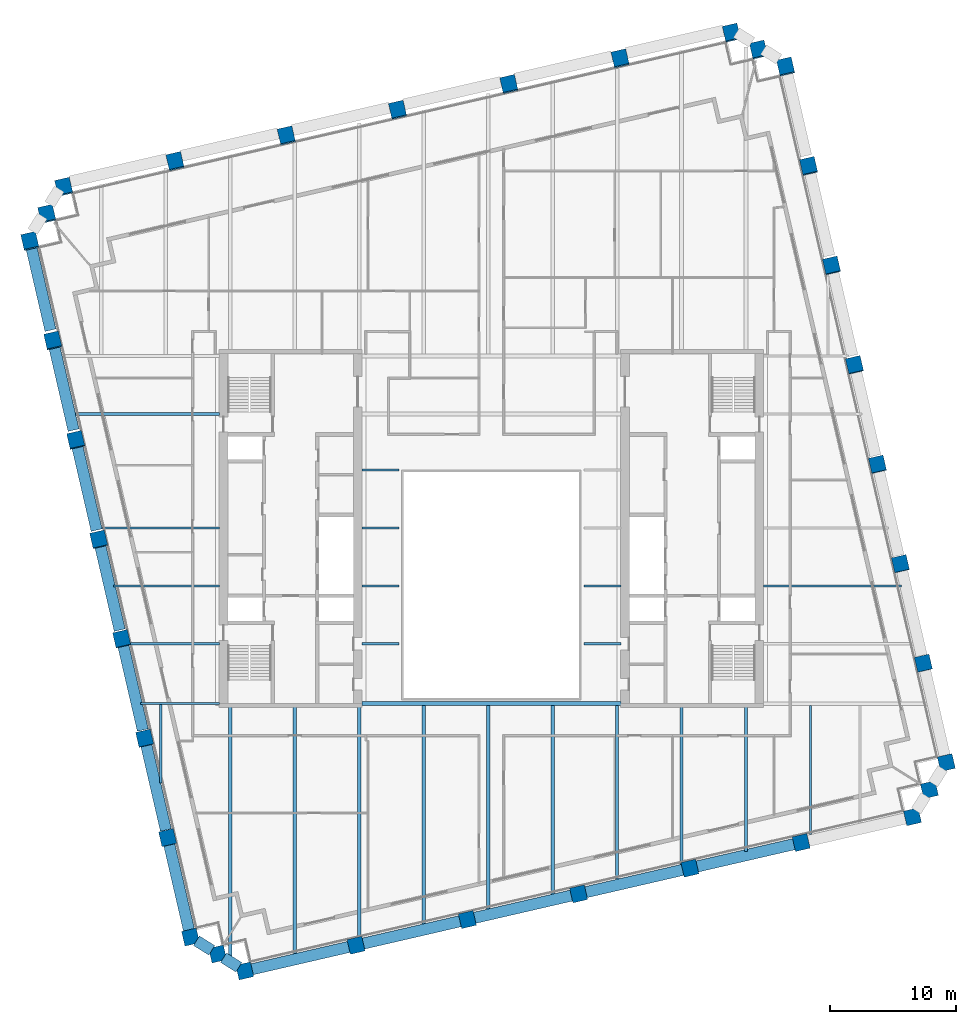
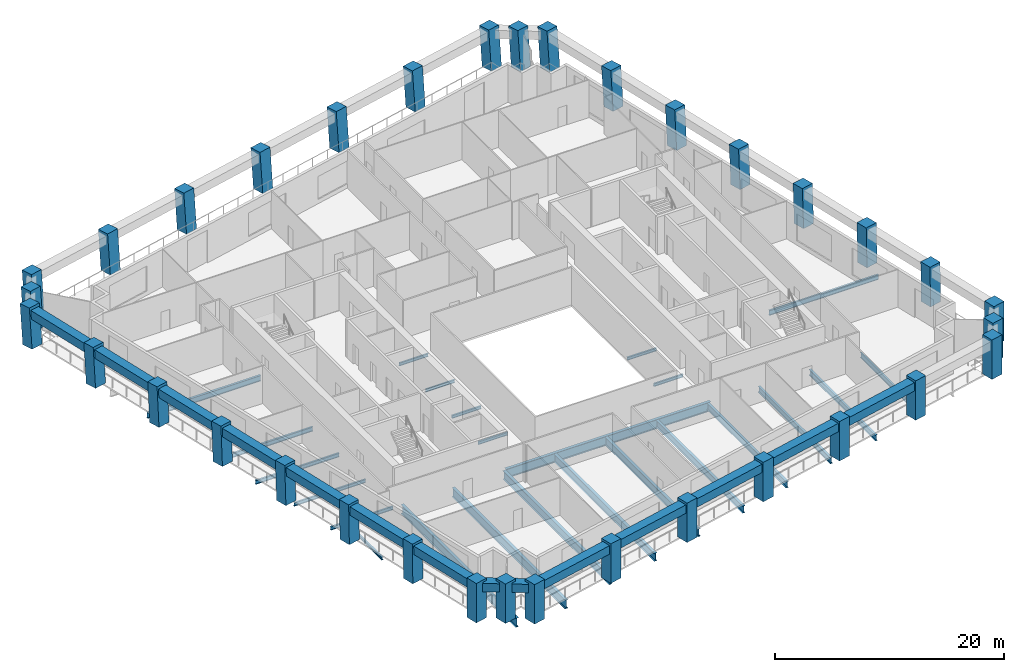
# One storey, part 1 of 10: 38 beams, 34 columns.
"""IFC4 building model written with IfcOpenShell, lengths in metres."""

from ifc_helpers import new_model, si_unit, direction, frame, origin, origin_2d, place, context, subcontext, project, spatial, rectangle, i_section, extrude, material, material_profile, profile_set, type_object, element, save


model = new_model("IFC4")

# Units and contexts
model_context = context("Model", 3, precision=1e-05, world=origin(), true_north=direction((0.0, 1.0)))
body_context = subcontext(model_context, "Body", "Model", "MODEL_VIEW")
ifc_project = project(units=[si_unit("LENGTHUNIT", "METRE"), si_unit("AREAUNIT", "SQUARE_METRE"), si_unit("VOLUMEUNIT", "CUBIC_METRE"), si_unit("PLANEANGLEUNIT", "RADIAN"), si_unit("MASSUNIT", "GRAM", prefix="KILO")], contexts=[model_context])

# Site, building, storey
site_placement = place(None, origin())
site = spatial("IfcSite", under=ifc_project, at=site_placement, CompositionType="ELEMENT")
building_placement = place(site_placement, origin())
building = spatial("IfcBuilding", under=site, at=building_placement, Name="Ogive Exchange Tower", CompositionType="ELEMENT")
storey_placement = place(building_placement, frame((0.0, 0.0, 192.60009765625)))
storey = spatial("IfcBuildingStorey", under=building, at=storey_placement, Name="L42", CompositionType="ELEMENT", Elevation=192.60009765625)

# Columns
ifc_material_1 = material(Name="Precast concrete C70/85 (limestone faced)", Category="masonry")
ifc_material_profile_1 = material_profile(ifc_material_1, rectangle(XDim=1.199951171875, YDim=1.199951171875, at=origin_2d()), Name="1200 x 1200")
ifc_profile_set_1 = profile_set([ifc_material_profile_1], Name="Precast concrete C70/85 (limestone faced)")
column_type = type_object("IfcColumnType", Name="Precast exoskeleton leg 1200 x 1200 C70/85", PredefinedType="COLUMN", material=ifc_profile_set_1)
for number, where, z_axis, x_axis, name in (
    (1, (-19.6494140625, -23.749267578125, 0.0), (0.0, 0.0, 1.0), (0.974370064785, 0.224951054344, 0.0), "Exoskeleton leg 1"),
    (2, (-10.782470703125, -21.7021484375, 0.0), (0.0, 0.0, 1.0), (0.974370064785, 0.224951054344, 0.0), "Exoskeleton leg 2"),
    (3, (-1.915771484375, -19.655029296875, 0.0), (0.0, 0.0, 1.0), (0.974370064785, 0.224951054344, 0.0), "Exoskeleton leg 3"),
    (4, (6.950927734375, -17.60791015625, 0.0), (0.0, 0.0, 1.0), (0.974370064785, 0.224951054344, 0.0), "Exoskeleton leg 4"),
    (5, (15.81787109375, -15.56103515625, 0.0), (0.0, 0.0, 1.0), (0.974370064785, 0.224951054344, 0.0), "Exoskeleton leg 5"),
    (6, (24.6845703125, -13.513916015625, 0.0), (0.0, 0.0, 1.0), (0.974370064785, 0.224951054344, 0.0), "Exoskeleton leg 6"),
    (7, (33.55126953125, -11.466796875, 0.0), (0.0, 0.0, 1.0), (0.974370064785, 0.224951054344, 0.0), "Exoskeleton leg 7"),
    (8, (36.249267578125, -7.1494140625, 0.0), (0.0, 0.0, 1.0), (0.974370064785, 0.224951054344, 0.0), "Exoskeleton leg 8"),
):
    element("IfcColumn", number, at=place(storey_placement, frame(where, z_axis=z_axis, x_axis=x_axis)), inside=storey, type_object=column_type, Name=name, PredefinedType="COLUMN", context=body_context, shape_type="SweptSolid", body=[
        extrude(rectangle(XDim=1.199951171875, YDim=1.199951171875, at=origin_2d()), origin(), (0.0, 0.0, 1.0), 4.199951171875),
    ])
column_1_placement = place(storey_placement, frame((34.421630859375, 0.7666015625, 0.0), z_axis=(-0.00267376016, 0.011683169396, 0.9999281747), x_axis=(-0.974798272484, -0.223088161862, 0.0)))
element("IfcColumn", 9, at=column_1_placement, inside=storey, type_object=column_type, Name="Exoskeleton leg 9", PredefinedType="COLUMN", context=body_context, shape_type="SweptSolid", body=[
    extrude(rectangle(XDim=1.199951171875, YDim=1.199951171875, at=origin_2d()), origin(), (0.0, 0.0, 1.0), 4.2001953125),
])
column_2_placement = place(storey_placement, frame((32.593994140625, 8.6826171875, 0.0), z_axis=(-0.005346368472, 0.023361305716, 0.999712791625), x_axis=(-0.974798272484, -0.223088161862, 0.0)))
element("IfcColumn", 10, at=column_2_placement, inside=storey, type_object=column_type, Name="Exoskeleton leg 10", PredefinedType="COLUMN", context=body_context, shape_type="SweptSolid", body=[
    extrude(rectangle(XDim=1.199951171875, YDim=1.199951171875, at=origin_2d()), origin(), (0.0, 0.0, 1.0), 4.201171875),
])
column_3_placement = place(storey_placement, frame((30.7666015625, 16.598388671875, 0.0), z_axis=(-0.0080747472, 0.035087390713, 0.999351626541), x_axis=(-0.974526982896, -0.224270282488, 0.0)))
element("IfcColumn", 11, at=column_3_placement, inside=storey, type_object=column_type, Name="Exoskeleton leg 11", PredefinedType="COLUMN", context=body_context, shape_type="SweptSolid", body=[
    extrude(rectangle(XDim=1.199951171875, YDim=1.199951171875, at=origin_2d()), origin(), (0.0, 0.0, 1.0), 4.20263671875),
])
column_4_placement = place(storey_placement, frame((28.939208984375, 24.514404296875, 0.0), z_axis=(-0.010799648955, 0.046682353548, 0.998851403087), x_axis=(-0.974268511785, -0.225390476607, 0.0)))
element("IfcColumn", 12, at=column_4_placement, inside=storey, type_object=column_type, Name="Exoskeleton leg 12", PredefinedType="COLUMN", context=body_context, shape_type="SweptSolid", body=[
    extrude(rectangle(XDim=1.199951171875, YDim=1.199951171875, at=origin_2d()), origin(), (0.0, 0.0, 1.0), 4.204833984375),
])
column_5_placement = place(storey_placement, frame((27.111572265625, 32.43017578125, 0.0), z_axis=(-0.013519814281, 0.05837310372, 0.998203283597), x_axis=(-0.974211350104, -0.225637420054, 0.0)))
element("IfcColumn", 13, at=column_5_placement, inside=storey, type_object=column_type, Name="Exoskeleton leg 13", PredefinedType="COLUMN", context=body_context, shape_type="SweptSolid", body=[
    extrude(rectangle(XDim=1.199951171875, YDim=1.199951171875, at=origin_2d()), origin(), (0.0, 0.0, 1.0), 4.20751953125),
])
column_6_placement = place(storey_placement, frame((25.283935546875, 40.34619140625, 0.0), z_axis=(-0.016118248597, 0.069981028979, 0.997418095708), x_axis=(-0.974486358888, -0.224446733862, 0.0)))
element("IfcColumn", 14, at=column_6_placement, inside=storey, type_object=column_type, Name="Exoskeleton leg 14", PredefinedType="COLUMN", context=body_context, shape_type="SweptSolid", body=[
    extrude(rectangle(XDim=1.199951171875, YDim=1.199951171875, at=origin_2d()), origin(), (0.0, 0.0, 1.0), 4.2109375),
])
for number, where, z_axis, x_axis, name in (
    (15, (23.45654296875, 48.261962890625, 0.0), (-0.018825666958, 0.081616506903, 0.99648599592), (-0.974414501624, -0.224758490439, 0.0), "Exoskeleton leg 15"),
    (16, (19.138916015625, 50.9599609375, 0.0), (-0.018825755928, 0.08155896722, 0.996490705315), (-0.974379530941, -0.22491004798, 0.0), "Exoskeleton leg 16"),
    (17, (10.272216796875, 48.912841796875, 0.0), (-0.018825666958, 0.081616506903, 0.99648599592), (-0.974414501624, -0.224758490439, 0.0), "Exoskeleton leg 17"),
    (18, (1.405517578125, 46.86572265625, 0.0), (-0.018883571463, 0.081616417765, 0.996484907603), (-0.974262845894, -0.225414966474, 0.0), "Exoskeleton leg 18"),
    (19, (-7.46142578125, 44.81884765625, 0.0), (-0.018825755928, 0.08155896722, 0.996490705315), (-0.974379530941, -0.22491004798, 0.0), "Exoskeleton leg 19"),
    (20, (-16.328125, 42.771728515625, 0.0), (-0.018825755928, 0.08155896722, 0.996490705315), (-0.974379530941, -0.22491004798, 0.0), "Exoskeleton leg 20"),
    (21, (-25.19482421875, 40.724609375, 0.0), (-0.018883571463, 0.081616417765, 0.996484907603), (-0.974262845894, -0.225414966474, 0.0), "Exoskeleton leg 21"),
    (22, (-34.061767578125, 38.677490234375, 0.0), (-0.018825666958, 0.081616506903, 0.99648599592), (-0.974414501624, -0.224758490439, 0.0), "Exoskeleton leg 22"),
    (23, (-36.759521484375, 34.360107421875, 0.0), (-0.018883571463, 0.081616417765, 0.996484907603), (-0.974262845894, -0.225414966474, 0.0), "Exoskeleton leg 23"),
):
    element("IfcColumn", number, at=place(storey_placement, frame(where, z_axis=z_axis, x_axis=x_axis)), inside=storey, type_object=column_type, Name=name, PredefinedType="COLUMN", context=body_context, shape_type="SweptSolid", body=[
        extrude(rectangle(XDim=1.199951171875, YDim=1.199951171875, at=origin_2d()), origin(), (0.0, 0.0, 1.0), 4.21484375),
    ])
column_7_placement = place(storey_placement, frame((-34.93212890625, 26.444091796875, 0.0), z_axis=(-0.016118183171, 0.070038723994, 0.99741404708), x_axis=(-0.974526982896, -0.224270282488, 0.0)))
element("IfcColumn", 24, at=column_7_placement, inside=storey, type_object=column_type, Name="Exoskeleton leg 24", PredefinedType="COLUMN", context=body_context, shape_type="SweptSolid", body=[
    extrude(rectangle(XDim=1.199951171875, YDim=1.199951171875, at=origin_2d()), origin(), (0.0, 0.0, 1.0), 4.2109375),
])
column_8_placement = place(storey_placement, frame((-33.1044921875, 18.5283203125, 0.0), z_axis=(-0.013461799865, 0.058373149415, 0.998204064995), x_axis=(-0.974423835271, -0.224718021653, 0.0)))
element("IfcColumn", 25, at=column_8_placement, inside=storey, type_object=column_type, Name="Exoskeleton leg 25", PredefinedType="COLUMN", context=body_context, shape_type="SweptSolid", body=[
    extrude(rectangle(XDim=1.199951171875, YDim=1.199951171875, at=origin_2d()), origin(), (0.0, 0.0, 1.0), 4.20751953125),
])
column_9_placement = place(storey_placement, frame((-31.277099609375, 10.6123046875, 0.0), z_axis=(-0.010799619665, 0.046740289408, 0.998848694028), x_axis=(-0.974329962248, -0.225124686929, 0.0)))
element("IfcColumn", 26, at=column_9_placement, inside=storey, type_object=column_type, Name="Exoskeleton leg 26", PredefinedType="COLUMN", context=body_context, shape_type="SweptSolid", body=[
    extrude(rectangle(XDim=1.199951171875, YDim=1.199951171875, at=origin_2d()), origin(), (0.0, 0.0, 1.0), 4.204833984375),
])
column_10_placement = place(storey_placement, frame((-29.449462890625, 2.6962890625, 0.0), z_axis=(-0.0080747472, 0.035087390713, 0.999351626541), x_axis=(-0.974526982896, -0.224270282488, 0.0)))
element("IfcColumn", 27, at=column_10_placement, inside=storey, type_object=column_type, Name="Exoskeleton leg 27", PredefinedType="COLUMN", context=body_context, shape_type="SweptSolid", body=[
    extrude(rectangle(XDim=1.199951171875, YDim=1.199951171875, at=origin_2d()), origin(), (0.0, 0.0, 1.0), 4.20263671875),
])
column_11_placement = place(storey_placement, frame((-27.621826171875, -5.219482421875, 0.0), z_axis=(-0.005404472139, 0.023419379268, 0.999711120452), x_axis=(-0.974391195695, -0.224859506699, 0.0)))
element("IfcColumn", 28, at=column_11_placement, inside=storey, type_object=column_type, Name="Exoskeleton leg 28", PredefinedType="COLUMN", context=body_context, shape_type="SweptSolid", body=[
    extrude(rectangle(XDim=1.199951171875, YDim=1.199951171875, at=origin_2d()), origin(), (0.0, 0.0, 1.0), 4.201171875),
])
column_12_placement = place(storey_placement, frame((-25.79443359375, -13.135498046875, 0.0), z_axis=(-0.00267375834, 0.011741286623, 0.999927493974), x_axis=(-0.975037935076, -0.222038341651, 0.0)))
element("IfcColumn", 29, at=column_12_placement, inside=storey, type_object=column_type, Name="Exoskeleton leg 29", PredefinedType="COLUMN", context=body_context, shape_type="SweptSolid", body=[
    extrude(rectangle(XDim=1.199951171875, YDim=1.199951171875, at=origin_2d()), origin(), (0.0, 0.0, 1.0), 4.2001953125),
])
for number, where, z_axis, x_axis, name in (
    (30, (-23.966796875, -21.05126953125, 0.0), (0.0, 0.0, 1.0), (0.974370064785, 0.224951054344, 0.0), "Exoskeleton leg 30"),
    (31, (34.900146484375, -9.30810546875, 0.0), (0.0, 0.0, 1.0), (0.974370064785, 0.224951054344, 0.0), "Exoskeleton leg 31"),
):
    element("IfcColumn", number, at=place(storey_placement, frame(where, z_axis=z_axis, x_axis=x_axis)), inside=storey, type_object=column_type, Name=name, PredefinedType="COLUMN", context=body_context, shape_type="SweptSolid", body=[
        extrude(rectangle(XDim=1.199951171875, YDim=1.199951171875, at=origin_2d()), origin(), (0.0, 0.0, 1.0), 4.199951171875),
    ])
for number, where, z_axis, x_axis, name in (
    (32, (21.297607421875, 49.611083984375, 0.0), (-0.018825755928, 0.08155896722, 0.996490705315), (-0.974379530941, -0.22491004798, 0.0), "Exoskeleton leg 32"),
    (33, (-35.41064453125, 36.518798828125, 0.0), (-0.018825666958, 0.081616506903, 0.99648599592), (-0.974414501624, -0.224758490439, 0.0), "Exoskeleton leg 33"),
):
    element("IfcColumn", number, at=place(storey_placement, frame(where, z_axis=z_axis, x_axis=x_axis)), inside=storey, type_object=column_type, Name=name, PredefinedType="COLUMN", context=body_context, shape_type="SweptSolid", body=[
        extrude(rectangle(XDim=1.199951171875, YDim=1.199951171875, at=origin_2d()), origin(), (0.0, 0.0, 1.0), 4.21484375),
    ])
column_13_placement = place(storey_placement, frame((-21.80810546875, -22.400146484375, 0.0), z_axis=(0.0, 0.0, 1.0), x_axis=(0.974370064785, 0.224951054344, 0.0)))
element("IfcColumn", 34, at=column_13_placement, inside=storey, type_object=column_type, Name="Exoskeleton leg 34", PredefinedType="COLUMN", context=body_context, shape_type="SweptSolid", body=[
    extrude(rectangle(XDim=1.199951171875, YDim=1.199951171875, at=origin_2d()), origin(), (0.0, 0.0, 1.0), 4.199951171875),
])

# Beams
ifc_material_2 = material(Name="Steel ASTM A992 Gr50", Category="steel")
ifc_material_profile_2 = material_profile(ifc_material_2, i_section(OverallWidth=0.300048828125, OverallDepth=0.969970703125, WebThickness=0.01611328125, FlangeThickness=0.02099609375, at=origin_2d()), Name="W1000x222")
ifc_profile_set_2 = profile_set([ifc_material_profile_2], Name="Steel ASTM A992 Gr50")
beam_type_1 = type_object("IfcBeamType", Name="Floor beam W1000x222", PredefinedType="JOIST", material=ifc_profile_set_2)
beam_1_placement = place(storey_placement, frame((-20.806396484375, -22.6455078125, -0.68505859375), z_axis=(0.0, 1.0, 0.0), x_axis=(-1.0, 0.0, 0.0)))
element("IfcBeam", 35, at=beam_1_placement, inside=storey, type_object=beam_type_1, Name="Floor beam", PredefinedType="JOIST", context=body_context, shape_type="SweptSolid", body=[
    extrude(i_section(OverallWidth=0.300048828125, OverallDepth=0.969970703125, WebThickness=0.01611328125, FlangeThickness=0.02099609375, at=origin_2d()), origin(), (0.0, 0.0, 1.0), 20.04541015625),
])
beam_2_placement = place(storey_placement, frame((-15.668701171875, -22.368408203125, -0.68505859375), z_axis=(0.0, 1.0, 0.0), x_axis=(-1.0, 0.0, 0.0)))
element("IfcBeam", 36, at=beam_2_placement, inside=storey, type_object=beam_type_1, Name="Floor beam", PredefinedType="JOIST", context=body_context, shape_type="SweptSolid", body=[
    extrude(i_section(OverallWidth=0.300048828125, OverallDepth=0.969970703125, WebThickness=0.01611328125, FlangeThickness=0.02099609375, at=origin_2d()), origin(), (0.0, 0.0, 1.0), 19.768310546875),
])
ifc_material_profile_3 = material_profile(ifc_material_2, i_section(OverallWidth=0.1650390625, OverallDepth=0.31005859375, WebThickness=0.005859375, FlangeThickness=0.009765625, at=origin_2d()), Name="W310x38.7")
ifc_profile_set_3 = profile_set([ifc_material_profile_3], Name="Steel ASTM A992 Gr50")
beam_type_2 = type_object("IfcBeamType", Name="Floor beam W310x38.7", PredefinedType="JOIST", material=ifc_profile_set_3)
for number, where, z_axis, x_axis, name in (
    (37, (-10.320068359375, 2.3212890625, -0.35498046875), (1.0, 0.0, 0.0), (0.0, 1.0, 0.0), "Floor beam"),
    (38, (7.3701171875, 2.3212890625, -0.35498046875), (1.0, 0.0, 0.0), (0.0, 1.0, 0.0), "Floor beam"),
    (39, (-10.320068359375, 6.9326171875, -0.35498046875), (1.0, 0.0, 0.0), (0.0, 1.0, 0.0), "Floor beam"),
    (40, (7.3701171875, 6.9326171875, -0.35498046875), (1.0, 0.0, 0.0), (0.0, 1.0, 0.0), "Floor beam"),
    (41, (-10.320068359375, 11.543701171875, -0.35498046875), (1.0, 0.0, 0.0), (0.0, 1.0, 0.0), "Floor beam"),
):
    element("IfcBeam", number, at=place(storey_placement, frame(where, z_axis=z_axis, x_axis=x_axis)), inside=storey, type_object=beam_type_2, Name=name, PredefinedType="JOIST", context=body_context, shape_type="SweptSolid", body=[
        extrude(i_section(OverallWidth=0.1650390625, OverallDepth=0.31005859375, WebThickness=0.005859375, FlangeThickness=0.009765625, at=origin_2d()), origin(), (0.0, 0.0, 1.0), 2.949951171875),
    ])
beam_3_placement = place(storey_placement, frame((-26.34423828125, -8.753173828125, -0.35498046875), z_axis=(0.0, 1.0, 0.0), x_axis=(-1.0, 0.0, 0.0)))
element("IfcBeam", 42, at=beam_3_placement, inside=storey, type_object=beam_type_2, Name="Floor beam", PredefinedType="JOIST", context=body_context, shape_type="SweptSolid", body=[
    extrude(i_section(OverallWidth=0.1650390625, OverallDepth=0.31005859375, WebThickness=0.005859375, FlangeThickness=0.009765625, at=origin_2d()), origin(), (0.0, 0.0, 1.0), 6.22265625),
])
ifc_material_profile_4 = material_profile(ifc_material_2, i_section(OverallWidth=0.1708984375, OverallDepth=0.35595703125, WebThickness=0.00732421875, FlangeThickness=0.01171875, at=origin_2d()), Name="W360x51")
ifc_profile_set_4 = profile_set([ifc_material_profile_4], Name="Steel ASTM A992 Gr50")
beam_type_3 = type_object("IfcBeamType", Name="Floor beam W360x51", PredefinedType="JOIST", material=ifc_profile_set_4)
beam_4_placement = place(storey_placement, frame((-28.90087890625, 2.3212890625, -0.378173828125), z_axis=(1.0, 0.0, 0.0), x_axis=(0.0, 1.0, 0.0)))
element("IfcBeam", 43, at=beam_4_placement, inside=storey, type_object=beam_type_3, Name="Floor beam", PredefinedType="JOIST", context=body_context, shape_type="SweptSolid", body=[
    extrude(i_section(OverallWidth=0.1708984375, OverallDepth=0.35595703125, WebThickness=0.00732421875, FlangeThickness=0.01171875, at=origin_2d()), origin(), (0.0, 0.0, 1.0), 7.220947265625),
])
ifc_material_profile_5 = material_profile(ifc_material_2, i_section(OverallWidth=0.177978515625, OverallDepth=0.406005859375, WebThickness=0.0078125, FlangeThickness=0.0126953125, at=origin_2d()), Name="W410x60")
ifc_profile_set_5 = profile_set([ifc_material_profile_5], Name="Steel ASTM A992 Gr50")
beam_type_4 = type_object("IfcBeamType", Name="Floor beam W410x60", PredefinedType="JOIST", material=ifc_profile_set_5)
beam_5_placement = place(storey_placement, frame((-30.115478515625, 6.9326171875, -0.403076171875), z_axis=(1.0, 0.0, 0.0), x_axis=(0.0, 1.0, 0.0)))
element("IfcBeam", 44, at=beam_5_placement, inside=storey, type_object=beam_type_4, Name="Floor beam", PredefinedType="JOIST", context=body_context, shape_type="SweptSolid", body=[
    extrude(i_section(OverallWidth=0.177978515625, OverallDepth=0.406005859375, WebThickness=0.0078125, FlangeThickness=0.0126953125, at=origin_2d()), origin(), (0.0, 0.0, 1.0), 8.435546875),
])
ifc_material_profile_6 = material_profile(ifc_material_2, i_section(OverallWidth=0.19091796875, OverallDepth=0.45703125, WebThickness=0.009033203125, FlangeThickness=0.014404296875, at=origin_2d()), Name="W460x74")
ifc_profile_set_6 = profile_set([ifc_material_profile_6], Name="Steel ASTM A992 Gr50")
beam_type_5 = type_object("IfcBeamType", Name="Floor beam W460x74", PredefinedType="JOIST", material=ifc_profile_set_6)
beam_6_placement = place(storey_placement, frame((-31.0302734375, 11.543701171875, -0.4287109375), z_axis=(1.0, 0.0, 0.0), x_axis=(0.0, 1.0, 0.0)))
element("IfcBeam", 45, at=beam_6_placement, inside=storey, type_object=beam_type_5, Name="Floor beam", PredefinedType="JOIST", context=body_context, shape_type="SweptSolid", body=[
    extrude(i_section(OverallWidth=0.19091796875, OverallDepth=0.45703125, WebThickness=0.009033203125, FlangeThickness=0.014404296875, at=origin_2d()), origin(), (0.0, 0.0, 1.0), 9.350341796875),
])
ifc_material_profile_7 = material_profile(ifc_material_2, i_section(OverallWidth=0.1669921875, OverallDepth=0.535888671875, WebThickness=0.01025390625, FlangeThickness=0.0166015625, at=origin_2d()), Name="W530x85")
ifc_profile_set_7 = profile_set([ifc_material_profile_7], Name="Steel ASTM A992 Gr50")
beam_type_6 = type_object("IfcBeamType", Name="Floor beam W530x85", PredefinedType="JOIST", material=ifc_profile_set_7)
beam_7_placement = place(storey_placement, frame((21.679931640625, 6.9326171875, -0.468017578125), z_axis=(1.0, 0.0, 0.0), x_axis=(0.0, 1.0, 0.0)))
element("IfcBeam", 46, at=beam_7_placement, inside=storey, type_object=beam_type_6, Name="Floor beam", PredefinedType="JOIST", context=body_context, shape_type="SweptSolid", body=[
    extrude(i_section(OverallWidth=0.1669921875, OverallDepth=0.535888671875, WebThickness=0.01025390625, FlangeThickness=0.0166015625, at=origin_2d()), origin(), (0.0, 0.0, 1.0), 11.00634765625),
])
beam_8_placement = place(storey_placement, frame((25.433837890625, -12.879150390625, -0.468017578125), z_axis=(0.0, 1.0, 0.0), x_axis=(-1.0, 0.0, 0.0)))
element("IfcBeam", 47, at=beam_8_placement, inside=storey, type_object=beam_type_6, Name="Floor beam", PredefinedType="JOIST", context=body_context, shape_type="SweptSolid", body=[
    extrude(i_section(OverallWidth=0.1669921875, OverallDepth=0.535888671875, WebThickness=0.01025390625, FlangeThickness=0.0166015625, at=origin_2d()), origin(), (0.0, 0.0, 1.0), 10.300537109375),
])
ifc_material_profile_8 = material_profile(ifc_material_2, i_section(OverallWidth=0.22802734375, OverallDepth=0.60205078125, WebThickness=0.010498046875, FlangeThickness=0.014892578125, at=origin_2d()), Name="W610x101")
ifc_profile_set_8 = profile_set([ifc_material_profile_8], Name="Steel ASTM A992 Gr50")
beam_type_7 = type_object("IfcBeamType", Name="Floor beam W610x101", PredefinedType="JOIST", material=ifc_profile_set_8)
beam_9_placement = place(storey_placement, frame((-33.126220703125, 20.62255859375, -0.5009765625), z_axis=(1.0, 0.0, 0.0), x_axis=(0.0, 1.0, 0.0)))
element("IfcBeam", 48, at=beam_9_placement, inside=storey, type_object=beam_type_7, Name="Floor beam", PredefinedType="JOIST", context=body_context, shape_type="SweptSolid", body=[
    extrude(i_section(OverallWidth=0.22802734375, OverallDepth=0.60205078125, WebThickness=0.010498046875, FlangeThickness=0.014892578125, at=origin_2d()), origin(), (0.0, 0.0, 1.0), 11.4462890625),
])
beam_10_placement = place(storey_placement, frame((20.296142578125, -14.215087890625, -0.5009765625), z_axis=(0.0, 1.0, 0.0), x_axis=(-1.0, 0.0, 0.0)))
element("IfcBeam", 49, at=beam_10_placement, inside=storey, type_object=beam_type_7, Name="Floor beam", PredefinedType="JOIST", context=body_context, shape_type="SweptSolid", body=[
    extrude(i_section(OverallWidth=0.22802734375, OverallDepth=0.60205078125, WebThickness=0.010498046875, FlangeThickness=0.014892578125, at=origin_2d()), origin(), (0.0, 0.0, 1.0), 11.614990234375),
])
ifc_material_profile_9 = material_profile(ifc_material_2, i_section(OverallWidth=0.22900390625, OverallDepth=0.612060546875, WebThickness=0.011962890625, FlangeThickness=0.01953125, at=origin_2d()), Name="W610x125")
ifc_profile_set_9 = profile_set([ifc_material_profile_9], Name="Steel ASTM A992 Gr50")
beam_type_8 = type_object("IfcBeamType", Name="Floor beam W610x125", PredefinedType="JOIST", material=ifc_profile_set_9)
beam_11_placement = place(storey_placement, frame((15.158203125, -15.25146484375, -0.506103515625), z_axis=(0.0, 1.0, 0.0), x_axis=(-1.0, 0.0, 0.0)))
element("IfcBeam", 50, at=beam_11_placement, inside=storey, type_object=beam_type_8, Name="Floor beam", PredefinedType="JOIST", context=body_context, shape_type="SweptSolid", body=[
    extrude(i_section(OverallWidth=0.22900390625, OverallDepth=0.612060546875, WebThickness=0.011962890625, FlangeThickness=0.01953125, at=origin_2d()), origin(), (0.0, 0.0, 1.0), 12.6513671875),
])
ifc_material_profile_10 = material_profile(ifc_material_2, i_section(OverallWidth=0.25390625, OverallDepth=0.677978515625, WebThickness=0.01171875, FlangeThickness=0.016357421875, at=origin_2d()), Name="W690x125")
ifc_profile_set_10 = profile_set([ifc_material_profile_10], Name="Steel ASTM A992 Gr50")
beam_type_9 = type_object("IfcBeamType", Name="Floor beam W690x125", PredefinedType="JOIST", material=ifc_profile_set_10)
beam_12_placement = place(storey_placement, frame((10.0205078125, -16.4375, -0.5390625), z_axis=(0.0, 1.0, 0.0), x_axis=(-1.0, 0.0, 0.0)))
element("IfcBeam", 51, at=beam_12_placement, inside=storey, type_object=beam_type_9, Name="Floor beam", PredefinedType="JOIST", context=body_context, shape_type="SweptSolid", body=[
    extrude(i_section(OverallWidth=0.25390625, OverallDepth=0.677978515625, WebThickness=0.01171875, FlangeThickness=0.016357421875, at=origin_2d()), origin(), (0.0, 0.0, 1.0), 13.842529296875),
])
ifc_material_profile_11 = material_profile(ifc_material_2, i_section(OverallWidth=0.26708984375, OverallDepth=0.75390625, WebThickness=0.01318359375, FlangeThickness=0.01708984375, at=origin_2d()), Name="W760x147")
ifc_profile_set_11 = profile_set([ifc_material_profile_11], Name="Steel ASTM A992 Gr50")
beam_type_10 = type_object("IfcBeamType", Name="Floor beam W760x147", PredefinedType="JOIST", material=ifc_profile_set_11)
beam_13_placement = place(storey_placement, frame((4.882568359375, -17.773681640625, -0.5771484375), z_axis=(0.0, 1.0, 0.0), x_axis=(-1.0, 0.0, 0.0)))
element("IfcBeam", 52, at=beam_13_placement, inside=storey, type_object=beam_type_10, Name="Floor beam", PredefinedType="JOIST", context=body_context, shape_type="SweptSolid", body=[
    extrude(i_section(OverallWidth=0.26708984375, OverallDepth=0.75390625, WebThickness=0.01318359375, FlangeThickness=0.01708984375, at=origin_2d()), origin(), (0.0, 0.0, 1.0), 15.1787109375),
])
ifc_material_profile_12 = material_profile(ifc_material_2, i_section(OverallWidth=0.2919921875, OverallDepth=0.8359375, WebThickness=0.013916015625, FlangeThickness=0.018798828125, at=origin_2d()), Name="W840x176")
ifc_profile_set_12 = profile_set([ifc_material_profile_12], Name="Steel ASTM A992 Gr50")
beam_type_11 = type_object("IfcBeamType", Name="Floor beam W840x176", PredefinedType="JOIST", material=ifc_profile_set_12)
beam_14_placement = place(storey_placement, frame((-5.39306640625, -20.14599609375, -0.6181640625), z_axis=(0.0, 1.0, 0.0), x_axis=(-1.0, 0.0, 0.0)))
element("IfcBeam", 53, at=beam_14_placement, inside=storey, type_object=beam_type_11, Name="Floor beam", PredefinedType="JOIST", context=body_context, shape_type="SweptSolid", body=[
    extrude(i_section(OverallWidth=0.2919921875, OverallDepth=0.8359375, WebThickness=0.013916015625, FlangeThickness=0.018798828125, at=origin_2d()), origin(), (0.0, 0.0, 1.0), 17.551025390625),
])
beam_15_placement = place(storey_placement, frame((-0.255126953125, -18.809814453125, -0.6181640625), z_axis=(0.0, 1.0, 0.0), x_axis=(-1.0, 0.0, 0.0)))
element("IfcBeam", 54, at=beam_15_placement, inside=storey, type_object=beam_type_11, Name="Floor beam", PredefinedType="JOIST", context=body_context, shape_type="SweptSolid", body=[
    extrude(i_section(OverallWidth=0.2919921875, OverallDepth=0.8359375, WebThickness=0.013916015625, FlangeThickness=0.018798828125, at=origin_2d()), origin(), (0.0, 0.0, 1.0), 16.21484375),
])
ifc_material_profile_13 = material_profile(ifc_material_2, i_section(OverallWidth=0.304931640625, OverallDepth=0.904052734375, WebThickness=0.01513671875, FlangeThickness=0.02001953125, at=origin_2d()), Name="W920x201")
ifc_profile_set_13 = profile_set([ifc_material_profile_13], Name="Steel ASTM A992 Gr50")
beam_type_12 = type_object("IfcBeamType", Name="Floor beam W920x201", PredefinedType="JOIST", material=ifc_profile_set_13)
beam_16_placement = place(storey_placement, frame((-10.53076171875, -21.18212890625, -0.652099609375), z_axis=(0.0, 1.0, 0.0), x_axis=(-1.0, 0.0, 0.0)))
element("IfcBeam", 55, at=beam_16_placement, inside=storey, type_object=beam_type_12, Name="Floor beam", PredefinedType="JOIST", context=body_context, shape_type="SweptSolid", body=[
    extrude(i_section(OverallWidth=0.304931640625, OverallDepth=0.904052734375, WebThickness=0.01513671875, FlangeThickness=0.02001953125, at=origin_2d()), origin(), (0.0, 0.0, 1.0), 18.58203125),
])
ifc_material_profile_14 = material_profile(ifc_material_2, i_section(OverallWidth=0.300048828125, OverallDepth=0.97998046875, WebThickness=0.0166015625, FlangeThickness=0.026123046875, at=origin_2d()), Name="W1000x249")
ifc_profile_set_14 = profile_set([ifc_material_profile_14], Name="Steel ASTM A992 Gr50")
beam_type_13 = type_object("IfcBeamType", Name="Girder W1000x249", PredefinedType="BEAM", material=ifc_profile_set_14)
beam_17_placement = place(storey_placement, frame((-10.320068359375, -2.445068359375, -0.690185546875), z_axis=(1.0, 0.0, 0.0), x_axis=(0.0, 1.0, 0.0)))
element("IfcBeam", 56, at=beam_17_placement, inside=storey, type_object=beam_type_13, Name="Header girder", PredefinedType="BEAM", context=body_context, shape_type="SweptSolid", body=[
    extrude(i_section(OverallWidth=0.300048828125, OverallDepth=0.97998046875, WebThickness=0.0166015625, FlangeThickness=0.026123046875, at=origin_2d()), origin(), (0.0, 0.0, 1.0), 20.64013671875),
])
ifc_material_profile_15 = material_profile(ifc_material_2, i_section(OverallWidth=0.1650390625, OverallDepth=0.31005859375, WebThickness=0.005859375, FlangeThickness=0.009765625, at=origin_2d()), Name="W310x38.7")
ifc_profile_set_15 = profile_set([ifc_material_profile_15], Name="Steel ASTM A992 Gr50")
beam_type_14 = type_object("IfcBeamType", Name="Girder W310x38.7", PredefinedType="BEAM", material=ifc_profile_set_15)
beam_18_placement = place(storey_placement, frame((-10.320068359375, 16.155029296875, -0.35498046875), z_axis=(1.0, 0.0, 0.0), x_axis=(0.0, 1.0, 0.0)))
element("IfcBeam", 57, at=beam_18_placement, inside=storey, type_object=beam_type_14, Name="Trimmer girder", PredefinedType="BEAM", context=body_context, shape_type="SweptSolid", body=[
    extrude(i_section(OverallWidth=0.1650390625, OverallDepth=0.31005859375, WebThickness=0.005859375, FlangeThickness=0.009765625, at=origin_2d()), origin(), (0.0, 0.0, 1.0), 2.949951171875),
])
ifc_material_profile_16 = material_profile(ifc_material_2, i_section(OverallWidth=0.1708984375, OverallDepth=0.35595703125, WebThickness=0.00732421875, FlangeThickness=0.01171875, at=origin_2d()), Name="W360x51")
ifc_profile_set_16 = profile_set([ifc_material_profile_16], Name="Steel ASTM A992 Gr50")
beam_type_15 = type_object("IfcBeamType", Name="Girder W360x51", PredefinedType="BEAM", material=ifc_profile_set_16)
beam_19_placement = place(storey_placement, frame((-27.95068359375, -2.445068359375, -0.378173828125), z_axis=(1.0, 0.0, 0.0), x_axis=(0.0, 1.0, 0.0)))
element("IfcBeam", 58, at=beam_19_placement, inside=storey, type_object=beam_type_15, Name="Header girder", PredefinedType="BEAM", context=body_context, shape_type="SweptSolid", body=[
    extrude(i_section(OverallWidth=0.1708984375, OverallDepth=0.35595703125, WebThickness=0.00732421875, FlangeThickness=0.01171875, at=origin_2d()), origin(), (0.0, 0.0, 1.0), 6.270751953125),
])
ifc_material_profile_17 = material_profile(ifc_material_1, rectangle(XDim=0.89990234375, YDim=0.89990234375, at=origin_2d()), Name="900 x 900")
ifc_profile_set_17 = profile_set([ifc_material_profile_17], Name="Precast concrete C70/85 (limestone faced)")
beam_type_16 = type_object("IfcBeamType", Name="Precast spandrel 900 x 900 C70/85", PredefinedType="SPANDREL", material=ifc_profile_set_17)
beam_20_placement = place(storey_placement, frame((-19.084228515625, -23.61865234375, 3.5), z_axis=(0.974369944206, 0.224951576629, 0.0), x_axis=(-0.224951576629, 0.974369944206, 0.0)))
element("IfcBeam", 59, at=beam_20_placement, inside=storey, type_object=beam_type_16, Name="Spandrel 1", PredefinedType="SPANDREL", context=body_context, shape_type="SweptSolid", body=[
    extrude(rectangle(XDim=0.89990234375, YDim=0.89990234375, at=origin_2d()), origin(), (0.0, 0.0, 1.0), 7.940185546875),
])
beam_21_placement = place(storey_placement, frame((-10.21728515625, -21.57177734375, 3.5), z_axis=(0.974368388194, 0.224958316335, 0.0), x_axis=(-0.224958316335, 0.974368388194, 0.0)))
element("IfcBeam", 60, at=beam_21_placement, inside=storey, type_object=beam_type_16, Name="Spandrel 2", PredefinedType="SPANDREL", context=body_context, shape_type="SweptSolid", body=[
    extrude(rectangle(XDim=0.89990234375, YDim=0.89990234375, at=origin_2d()), origin(), (0.0, 0.0, 1.0), 7.93994140625),
])
for number, where, z_axis, x_axis, name in (
    (61, (-1.3505859375, -19.524658203125, 3.5), (0.974369944206, 0.224951576629, 0.0), (-0.224951576629, 0.974369944206, 0.0), "Spandrel 3"),
    (62, (7.51611328125, -17.4775390625, 3.5), (0.974369944206, 0.224951576629, 0.0), (-0.224951576629, 0.974369944206, 0.0), "Spandrel 4"),
    (63, (16.3828125, -15.430419921875, 3.5), (0.974369944206, 0.224951576629, 0.0), (-0.224951576629, 0.974369944206, 0.0), "Spandrel 5"),
):
    element("IfcBeam", number, at=place(storey_placement, frame(where, z_axis=z_axis, x_axis=x_axis)), inside=storey, type_object=beam_type_16, Name=name, PredefinedType="SPANDREL", context=body_context, shape_type="SweptSolid", body=[
        extrude(rectangle(XDim=0.89990234375, YDim=0.89990234375, at=origin_2d()), origin(), (0.0, 0.0, 1.0), 7.940185546875),
    ])
for number, where, z_axis, x_axis, name in (
    (64, (-36.70849609375, 34.138916015625, 3.5), (0.224945932181, -0.974371247316, 0.0), (0.974371247316, 0.224945932181, 0.0), "Spandrel 26"),
    (65, (-34.86962890625, 26.173828125, 3.5), (0.224945932181, -0.974371247316, 0.0), (0.974371247316, 0.224945932181, 0.0), "Spandrel 27"),
    (66, (-33.03076171875, 18.208740234375, 3.5), (0.224945932181, -0.974371247316, 0.0), (0.974371247316, 0.224945932181, 0.0), "Spandrel 28"),
    (67, (-31.19189453125, 10.24365234375, 3.5), (0.224945932181, -0.974371247316, 0.0), (0.974371247316, 0.224945932181, 0.0), "Spandrel 29"),
):
    element("IfcBeam", number, at=place(storey_placement, frame(where, z_axis=z_axis, x_axis=x_axis)), inside=storey, type_object=beam_type_16, Name=name, PredefinedType="SPANDREL", context=body_context, shape_type="SweptSolid", body=[
        extrude(rectangle(XDim=0.89990234375, YDim=0.89990234375, at=origin_2d()), origin(), (0.0, 0.0, 1.0), 7.014404296875),
    ])
beam_22_placement = place(storey_placement, frame((-29.35302734375, 2.27880859375, 3.5), z_axis=(0.224938303802, -0.974373008392, 0.0), x_axis=(0.974373008392, 0.224938303802, 0.0)))
element("IfcBeam", 68, at=beam_22_placement, inside=storey, type_object=beam_type_16, Name="Spandrel 30", PredefinedType="SPANDREL", context=body_context, shape_type="SweptSolid", body=[
    extrude(rectangle(XDim=0.89990234375, YDim=0.89990234375, at=origin_2d()), origin(), (0.0, 0.0, 1.0), 7.0146484375),
])
for number, where, z_axis, x_axis, name in (
    (69, (-27.51416015625, -5.686279296875, 3.5), (0.224945932181, -0.974371247316, 0.0), (0.974371247316, 0.224945932181, 0.0), "Spandrel 31"),
    (70, (-25.67529296875, -13.6513671875, 3.5), (0.224945932181, -0.974371247316, 0.0), (0.974371247316, 0.224945932181, 0.0), "Spandrel 32"),
):
    element("IfcBeam", number, at=place(storey_placement, frame(where, z_axis=z_axis, x_axis=x_axis)), inside=storey, type_object=beam_type_16, Name=name, PredefinedType="SPANDREL", context=body_context, shape_type="SweptSolid", body=[
        extrude(rectangle(XDim=0.89990234375, YDim=0.89990234375, at=origin_2d()), origin(), (0.0, 0.0, 1.0), 7.014404296875),
    ])
for number, where, z_axis, x_axis, name in (
    (71, (-23.501708984375, -21.342041015625, 3.5), (0.848074041941, -0.529877740036, 0.0), (0.529877740036, 0.848074041941, 0.0), "Spandrel 33"),
    (72, (-21.343017578125, -22.69091796875, 3.5), (0.848074041941, -0.529877740036, 0.0), (0.529877740036, 0.848074041941, 0.0), "Spandrel 34"),
):
    element("IfcBeam", number, at=place(storey_placement, frame(where, z_axis=z_axis, x_axis=x_axis)), inside=storey, type_object=beam_type_16, Name=name, PredefinedType="SPANDREL", context=body_context, shape_type="SweptSolid", body=[
        extrude(rectangle(XDim=0.89990234375, YDim=0.89990234375, at=origin_2d()), origin(), (0.0, 0.0, 1.0), 1.448486328125),
    ])

save(model, "model.ifc")
